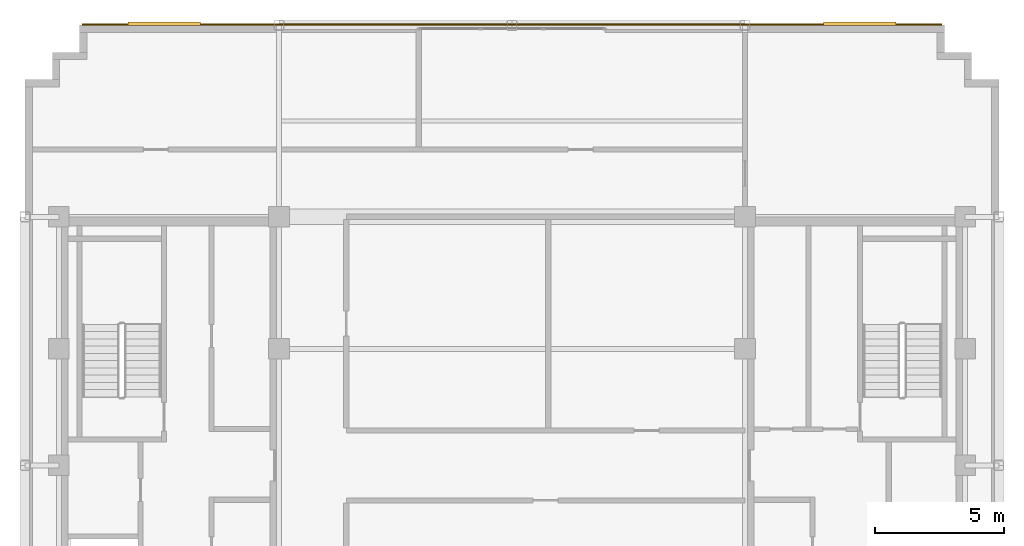
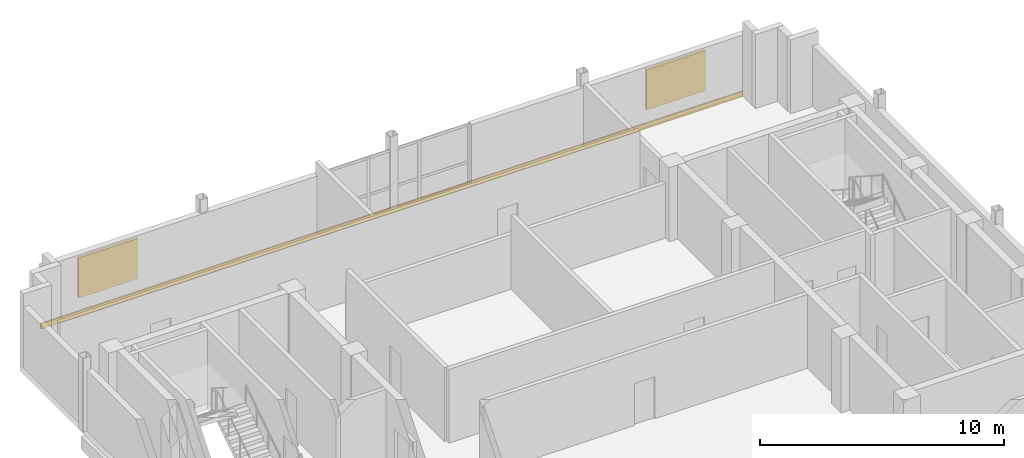
# One storey, part 10 of 10: 2 shading devices, 1 covering.
"""IFC4 building model written with IfcOpenShell, lengths in metres."""

from ifc_helpers import new_model, si_unit, direction, frame, origin, origin_2d, place, context, subcontext, project, spatial, rectangle, extrude, source, transform, mapped, material, layer, layer_set, type_object, type_shapes, element, save


model = new_model("IFC4")

# Units and contexts
model_context = context("Model", 3, precision=1e-05, world=origin(), true_north=direction((0.0, 1.0)))
body_context = subcontext(model_context, "Body", "Model", "MODEL_VIEW")
ifc_project = project(units=[si_unit("LENGTHUNIT", "METRE"), si_unit("AREAUNIT", "SQUARE_METRE"), si_unit("VOLUMEUNIT", "CUBIC_METRE"), si_unit("PLANEANGLEUNIT", "RADIAN"), si_unit("MASSUNIT", "GRAM", prefix="KILO")], contexts=[model_context])

# Site, building, storey
site_placement = place(None, origin())
site = spatial("IfcSite", under=ifc_project, at=site_placement, CompositionType="ELEMENT")
building_placement = place(site_placement, origin())
building = spatial("IfcBuilding", under=site, at=building_placement, Name="Nuvemarco Arch Tower", CompositionType="ELEMENT")
storey_placement = place(building_placement, frame((0.0, 0.0, 299.14990234375)))
storey = spatial("IfcBuildingStorey", under=building, at=storey_placement, Name="L79", CompositionType="ELEMENT", Elevation=299.14990234375)

# Shading devices
ifc_material_1 = material(Name="Anodised aluminium 6063-T6", Category="aluminium")
shading_device_type = type_object("IfcShadingDeviceType", Name="SHD-LOUVRE-PLANT", PredefinedType="JALOUSIE", material=ifc_material_1)
shared_shape_1 = source(origin(), body_context, "Body", "SweptSolid", [
    extrude(rectangle(XDim=2.800048828125, YDim=0.1201171875, at=origin_2d()), origin(), (0.0, 0.0, 1.0), 2.0),
])
type_shapes(shading_device_type, [shared_shape_1])
for number, where, z_axis, x_axis, name in (
    (1, (-13.425048828125, 17.054931640625, 0.650146484375), (0.0, 0.0, 1.0), (1.0, 0.0, 0.0), "L79 acoustic plant louvre panel 1"),
    (2, (13.425048828125, 17.054931640625, 0.650146484375), (0.0, 0.0, 1.0), (1.0, 0.0, 0.0), "L79 acoustic plant louvre panel 2"),
):
    element("IfcShadingDevice", number, at=place(storey_placement, frame(where, z_axis=z_axis, x_axis=x_axis)), inside=storey, type_object=shading_device_type, Name=name, PredefinedType="JALOUSIE", context=body_context, shape_type="MappedRepresentation", body=[
        mapped(shared_shape_1, transform((0.0, 0.0, 0.0), scale=1.0)),
    ])

# Covering
ifc_material_2 = material(Name="Precast concrete C45/55", Category="concrete")
ifc_layer = layer(ifc_material_2, 0.06005859375, Name="COV-SPANDREL-CLAD")
ifc_layer_set = layer_set([ifc_layer], Name="Precast concrete C45/55")
covering_type = type_object("IfcCoveringType", Name="COV-SPANDREL-CLAD", PredefinedType="CLADDING", material=ifc_layer_set)
shared_shape_2 = source(origin(), body_context, "Body", "SweptSolid", [
    extrude(rectangle(XDim=33.199951171875, YDim=0.06005859375, at=origin_2d()), origin(), (0.0, 0.0, 1.0), 0.280029296875),
])
type_shapes(covering_type, [shared_shape_2])
covering_placement = place(storey_placement, frame((0.0, 17.029052734375, -0.27978515625), z_axis=(0.0, 0.0, 1.0), x_axis=(1.0, 0.0, 0.0)))
element("IfcCovering", 3, at=covering_placement, inside=storey, type_object=covering_type, Name="L79 precast spandrel edge cladding north", PredefinedType="CLADDING", context=body_context, shape_type="MappedRepresentation", body=[
    mapped(shared_shape_2, transform((0.0, 0.0, 0.0), scale=1.0)),
])

save(model, "model.ifc")
